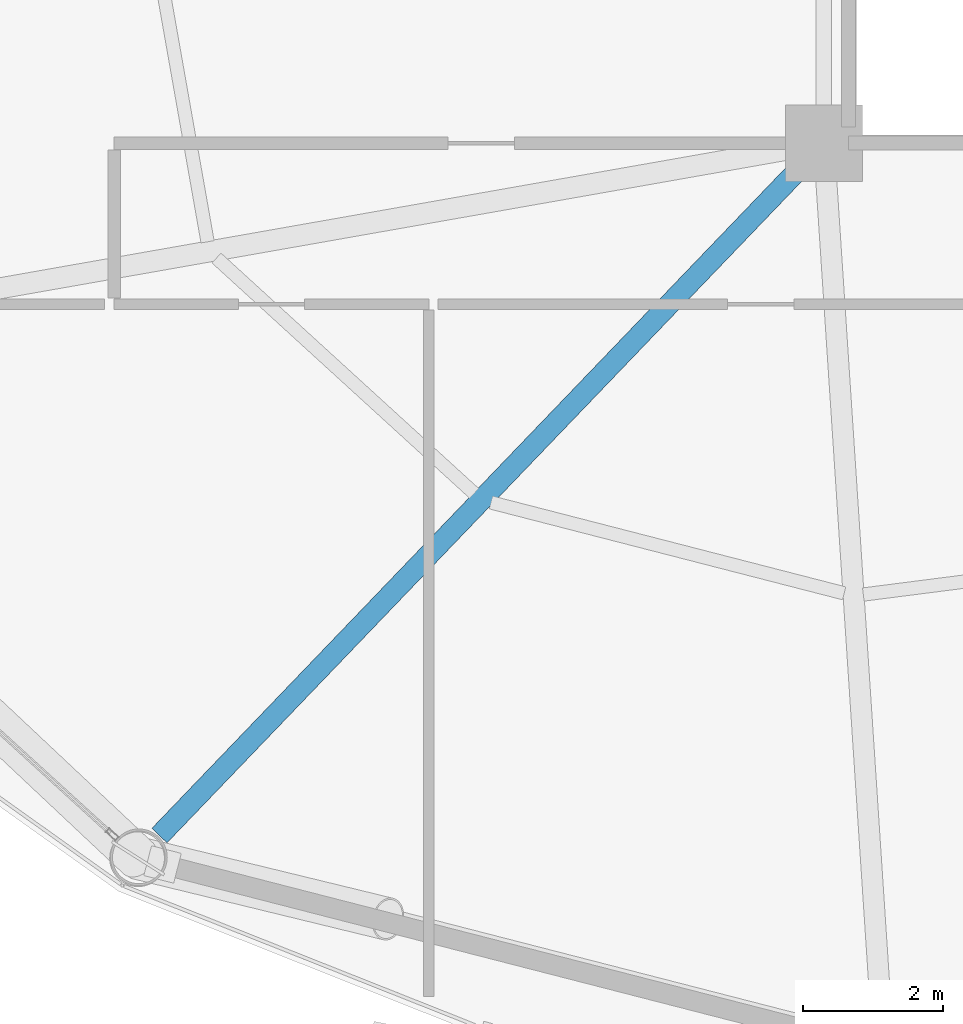
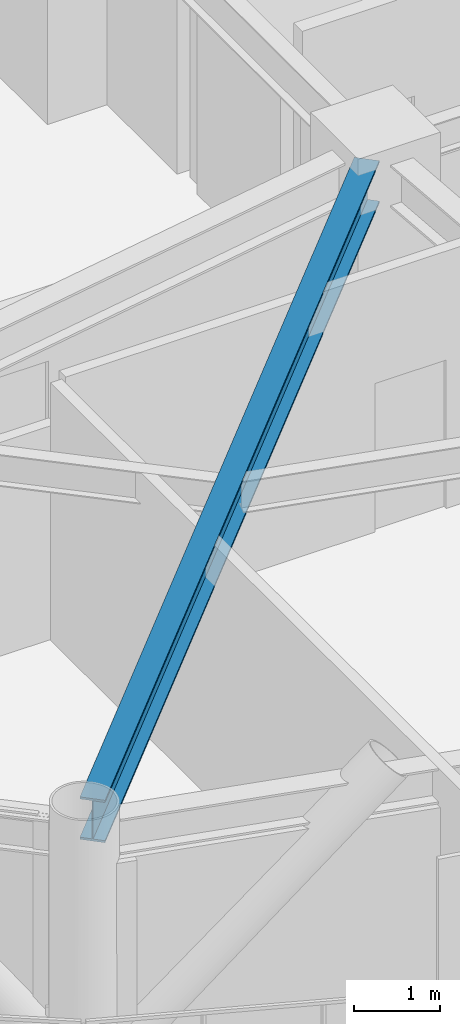
# One storey, part 3 of 24: 1 beam.
"""IFC4 building model written with IfcOpenShell, lengths in metres."""

import ifcopenshell
import ifcopenshell.guid

model = None  # the IFC model being written
_history = None  # IfcOwnerHistory: only IFC2X3 demands one
_inside = {}  # id of a spatial element -> (the spatial element, [elements in it])
_under = {}  # id of a project, library or spatial element -> (it, [spatial elements below it])
_declared = {}  # id of a project -> (the project, [libraries it declares])
_typed = {}  # id of a type object -> (the type object, [elements of that type])
_made_of = {}  # id of a material, layer set ... -> (it, [elements and type objects made of it])


def new_model(schema):
    """Start an empty IFC model of exactly this schema.

    Asked for "IFC4X3", IfcOpenShell would pick the latest addendum, in which some entities
    have other attributes; the version numbers below select the first issue.
    IFC2X3 requires an IfcOwnerHistory on every rooted entity: one is made here for all.
    """
    global model, _history
    if schema == "IFC4X3":
        model = ifcopenshell.file(schema_version=(4, 3, 0, 0))
    else:
        model = ifcopenshell.file(schema=schema)
    _inside.clear()
    _under.clear()
    _declared.clear()
    _typed.clear()
    _made_of.clear()
    _history = None
    if model.schema == "IFC2X3":
        org = make("IfcOrganization", Name="unknown")
        user = make(
            "IfcPersonAndOrganization",
            ThePerson=make("IfcPerson", FamilyName="unknown"),
            TheOrganization=org,
        )
        app = make(
            "IfcApplication",
            ApplicationDeveloper=org,
            Version="unknown",
            ApplicationFullName="unknown",
            ApplicationIdentifier="unknown",
        )
        _history = make(
            "IfcOwnerHistory",
            OwningUser=user,
            OwningApplication=app,
            ChangeAction="ADDED",
            CreationDate=0,
        )
    return model


def make(cls, **values):
    """One entity of the class cls with the attributes given. An attribute that is None is left unset."""
    return model.create_entity(
        cls, **{name: value for name, value in values.items() if value is not None}
    )


def rooted(cls, **values):
    """An entity with a GlobalId (a new one), such as an element, a storey or a relation."""
    return make(cls, GlobalId=ifcopenshell.guid.new(), OwnerHistory=_history, **values)


def si_unit(unit_type, name, prefix=None):
    """IfcSIUnit, for example si_unit("LENGTHUNIT", "METRE", prefix="MILLI")."""
    return make("IfcSIUnit", UnitType=unit_type, Prefix=prefix, Name=name)


def assignment(units):
    """IfcUnitAssignment: the units of a project."""
    return None if units is None else make("IfcUnitAssignment", Units=units)


def point(xyz):
    """IfcCartesianPoint."""
    return None if xyz is None else make("IfcCartesianPoint", Coordinates=xyz)


def direction(xyz):
    """IfcDirection."""
    return None if xyz is None else make("IfcDirection", DirectionRatios=xyz)


def frame(location, z_axis=None, x_axis=None):
    """IfcAxis2Placement3D, a coordinate frame: its origin and axes. An axis left out is left unset."""
    return make(
        "IfcAxis2Placement3D",
        Location=point(location),
        Axis=direction(z_axis),
        RefDirection=direction(x_axis),
    )


def frame_2d(location, x_axis=None):
    """IfcAxis2Placement2D, a coordinate frame in the plane: its origin and x axis."""
    return make(
        "IfcAxis2Placement2D", Location=point(location), RefDirection=direction(x_axis)
    )


def origin():
    """The frame at (0, 0, 0) with its axes left unset."""
    return frame((0.0, 0.0, 0.0))


def origin_2d():
    """The frame at (0, 0) in the plane with its x axis left unset."""
    return frame_2d((0.0, 0.0))


def place(relative_to, where):
    """IfcLocalPlacement: puts the frame where relative to a parent placement (None: the world)."""
    return make(
        "IfcLocalPlacement", PlacementRelTo=relative_to, RelativePlacement=where
    )


def context(
    kind, dimensions, precision=None, world=None, true_north=None, identifier=None
):
    """IfcGeometricRepresentationContext, for example the 3D "Model" context."""
    return make(
        "IfcGeometricRepresentationContext",
        ContextIdentifier=identifier,
        ContextType=kind,
        CoordinateSpaceDimension=dimensions,
        Precision=precision,
        WorldCoordinateSystem=world,
        TrueNorth=true_north,
    )


def subcontext(parent, identifier, kind, view, scale=None):
    """IfcGeometricRepresentationSubContext, for example "Body" below "Model"."""
    return make(
        "IfcGeometricRepresentationSubContext",
        ContextIdentifier=identifier,
        ContextType=kind,
        ParentContext=parent,
        TargetScale=scale,
        TargetView=view,
    )


def project(units=None, contexts=None):
    """IfcProject with its units and contexts."""
    return rooted(
        "IfcProject",
        Name="project",
        RepresentationContexts=contexts,
        UnitsInContext=assignment(units),
    )


def spatial(cls, under=None, at=None, **own):
    """A site, building, storey or space (cls), placed at a placement, below another one or the project."""
    s = rooted(cls, ObjectPlacement=at, **own)
    if under is not None:
        _under.setdefault(under.id(), (under, []))[1].append(s)
    return s


def profile(cls, at=None, kind="AREA", **sizes):
    """A parametric profile (cls). Its sizes go by their IFC names, for example OverallWidth=200.0."""
    return make(cls, ProfileType=kind, Position=at, **sizes)


def i_section(**sizes):
    """IfcIShapeProfileDef."""
    return profile("IfcIShapeProfileDef", **sizes)


def extrude(swept, where, along, depth):
    """IfcExtrudedAreaSolid: the profile swept, set in the frame where, extruded along a direction by depth."""
    return make(
        "IfcExtrudedAreaSolid",
        SweptArea=swept,
        Position=where,
        ExtrudedDirection=direction(along),
        Depth=depth,
    )


def shape(context_of_items, identifier, shape_type, items):
    """IfcShapeRepresentation: the items that make up one representation, for example the "Body"."""
    return make(
        "IfcShapeRepresentation",
        ContextOfItems=context_of_items,
        RepresentationIdentifier=identifier,
        RepresentationType=shape_type,
        Items=items,
    )


def material(Name=None, Category=None):
    """IfcMaterial."""
    return make("IfcMaterial", Name=Name, Category=Category)


def material_profile(
    of_material, cross_section, Name=None, Category=None, Priority=None
):
    """IfcMaterialProfile: a cross section and its material."""
    return make(
        "IfcMaterialProfile",
        Name=Name,
        Material=of_material,
        Profile=cross_section,
        Priority=Priority,
        Category=Category,
    )


def profile_set(profiles, Name=None, composite=None):
    """IfcMaterialProfileSet."""
    return make(
        "IfcMaterialProfileSet",
        Name=Name,
        MaterialProfiles=profiles,
        CompositeProfile=composite,
    )


def made_of(thing, what):
    """Note that an element or type object is made of a material, layer set ...; save() writes the relation."""
    if what is not None:
        _made_of.setdefault(what.id(), (what, []))[1].append(thing)
    return thing


def type_object(cls, material=None, **own):
    """A type object (cls), such as IfcWallType, which elements share."""
    return made_of(rooted(cls, **own), material)


def element(
    cls,
    number,
    at=None,
    inside=None,
    cuts=None,
    type_object=None,
    material=None,
    context=None,
    identifier="Body",
    shape_type=None,
    held_by="IfcProductDefinitionShape",
    body=None,
    shapes=None,
    **own,
):
    """One element of the class cls, such as IfcWall. Its Tag is "e" and its number.

    at: its placement. inside: the storey or other place that contains it. cuts: it is an
    opening in that element (IfcRelVoidsElement). A single representation is given by context,
    identifier, shape_type and body (its items); several are given by shapes. held_by: the class
    of the entity that holds the representations. save() writes the other relations.
    """
    e = rooted(cls, Tag="e%d" % number, ObjectPlacement=at, **own)
    if body is not None:
        shapes = [shape(context, identifier, shape_type, body)]
    if shapes is not None:
        e.Representation = make(held_by, Representations=shapes)
    if inside is not None:
        _inside.setdefault(inside.id(), (inside, []))[1].append(e)
    if cuts is not None:
        rooted(
            "IfcRelVoidsElement", RelatingBuildingElement=cuts, RelatedOpeningElement=e
        )
    if type_object is not None:
        _typed.setdefault(type_object.id(), (type_object, []))[1].append(e)
    return made_of(e, material)


def aggregate(whole, parts):
    """IfcRelAggregates: a whole, such as a stair, and the parts it consists of."""
    return rooted("IfcRelAggregates", RelatingObject=whole, RelatedObjects=parts)


def save(model, path):
    """Write the relations noted so far, then the file.

    IfcRelAggregates (storeys below a building ...), IfcRelContainedInSpatialStructure (elements
    in a storey), IfcRelDefinesByType, IfcRelAssociatesMaterial and IfcRelDeclares: one each for
    every whole, place, type object, material and project.
    """
    for whole, parts in _under.values():
        aggregate(whole, parts)
    for where, things in _inside.values():
        rooted(
            "IfcRelContainedInSpatialStructure",
            RelatedElements=things,
            RelatingStructure=where,
        )
    for kind, things in _typed.values():
        rooted("IfcRelDefinesByType", RelatedObjects=things, RelatingType=kind)
    for what, things in _made_of.values():
        rooted("IfcRelAssociatesMaterial", RelatedObjects=things, RelatingMaterial=what)
    for by, libraries in _declared.values():
        rooted("IfcRelDeclares", RelatingContext=by, RelatedDefinitions=libraries)
    model.write(path)


model = new_model("IFC4")

# Units and contexts
model_context = context("Model", 3, precision=1e-05, world=origin(), true_north=direction((0.0, 1.0)))
body_context = subcontext(model_context, "Body", "Model", "MODEL_VIEW")
ifc_project = project(units=[si_unit("LENGTHUNIT", "METRE"), si_unit("AREAUNIT", "SQUARE_METRE"), si_unit("VOLUMEUNIT", "CUBIC_METRE"), si_unit("PLANEANGLEUNIT", "RADIAN"), si_unit("MASSUNIT", "GRAM", prefix="KILO")], contexts=[model_context])

# Site, building, storey
site_placement = place(None, origin())
site = spatial("IfcSite", under=ifc_project, at=site_placement, CompositionType="ELEMENT")
building_placement = place(site_placement, origin())
building = spatial("IfcBuilding", under=site, at=building_placement, Name="Varnakorn Sky Granary", CompositionType="ELEMENT")
storey_placement = place(building_placement, frame((0.0, 0.0, 111.0)))
storey = spatial("IfcBuildingStorey", under=building, at=storey_placement, Name="L27", CompositionType="ELEMENT", Elevation=111.0)

# Beam
ifc_material = material(Name="Steel S355JR", Category="steel")
ifc_material_profile = material_profile(ifc_material, i_section(OverallWidth=0.300048828125, OverallDepth=0.60009765625, WebThickness=0.015380859375, FlangeThickness=0.030029296875, at=origin_2d()), Name="HE 600 B")
ifc_profile_set = profile_set([ifc_material_profile], Name="Steel S355JR")
beam_type = type_object("IfcBeamType", Name="BM-RAD-Z2", PredefinedType="BEAM", material=ifc_profile_set)
beam_placement = place(storey_placement, frame((-2.640869140625, -6.903076171875, 3.340087890625), z_axis=(-0.69238666336, -0.721526651206, 0.0), x_axis=(0.721526651206, -0.69238666336, 0.0)))
element("IfcBeam", 1, at=beam_placement, inside=storey, type_object=beam_type, Name="Radial Floor Girder RG09 L27", PredefinedType="BEAM", context=body_context, shape_type="SweptSolid", body=[
    extrude(i_section(OverallWidth=0.300048828125, OverallDepth=0.60009765625, WebThickness=0.015380859375, FlangeThickness=0.030029296875, at=origin_2d()), origin(), (0.0, 0.0, 1.0), 13.3046875),
])

save(model, "model.ifc")
